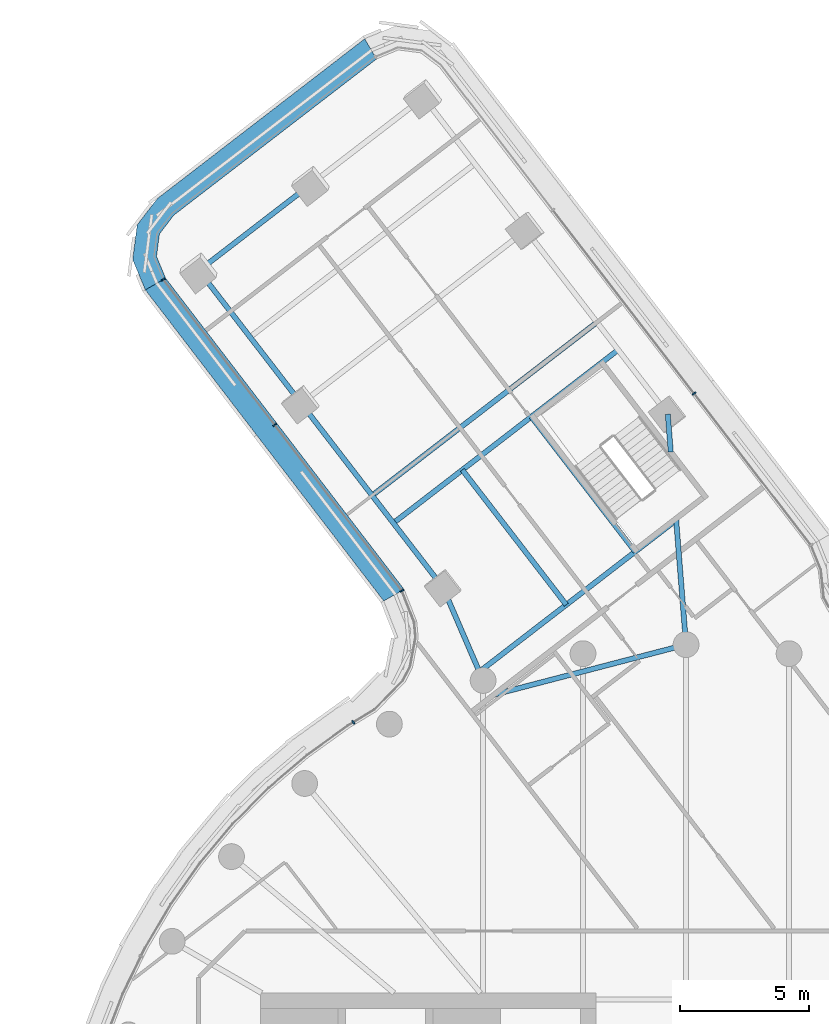
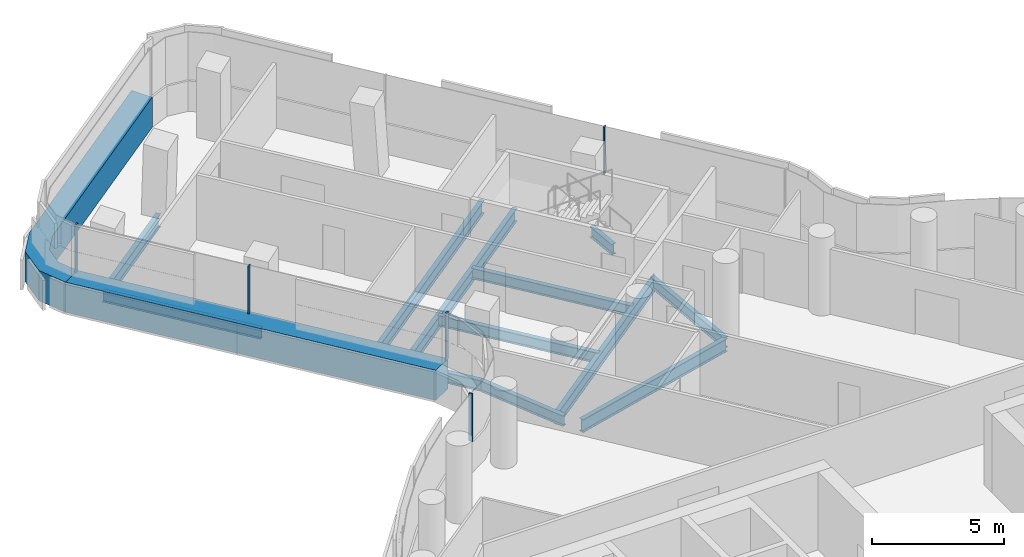
# One storey, part 14 of 33: 12 beams, 7 members, 4 elements without a shape of their own.
"""IFC4 building model written with IfcOpenShell, lengths in metres."""

from ifc_helpers import new_model, si_unit, direction, frame, origin, origin_2d, place, context, subcontext, project, spatial, polyline, rectangle, i_section, outline, extrude, material, layer, layer_set, material_profile, profile_set, type_object, element, aggregate, save


model = new_model("IFC4")

# Units and contexts
model_context = context("Model", 3, precision=1e-05, world=origin(), true_north=direction((0.0, 1.0)))
body_context = subcontext(model_context, "Body", "Model", "MODEL_VIEW")
ifc_project = project(units=[si_unit("LENGTHUNIT", "METRE"), si_unit("AREAUNIT", "SQUARE_METRE"), si_unit("VOLUMEUNIT", "CUBIC_METRE"), si_unit("PLANEANGLEUNIT", "RADIAN"), si_unit("MASSUNIT", "GRAM", prefix="KILO")], contexts=[model_context])

# Site, building, storey
site_placement = place(None, origin())
site = spatial("IfcSite", under=ifc_project, at=site_placement, CompositionType="ELEMENT")
building_placement = place(site_placement, origin())
building = spatial("IfcBuilding", under=site, at=building_placement, Name="Tamarind Cross Interchange Tower", CompositionType="ELEMENT")
storey_placement = place(building_placement, frame((0.0, 0.0, 170.5)))
storey = spatial("IfcBuildingStorey", under=building, at=storey_placement, Name="L42", CompositionType="ELEMENT", Elevation=170.5)

# Beams
ifc_material_1 = material(Name="Steel Q355B", Category="steel")
ifc_material_profile_1 = material_profile(ifc_material_1, i_section(OverallWidth=0.198974609375, OverallDepth=0.49609375, WebThickness=0.009033203125, FlangeThickness=0.013916015625, FilletRadius=0.012939453125, at=origin_2d()), Name="HN 496x199x9x14")
ifc_profile_set_1 = profile_set([ifc_material_profile_1], Name="Steel Q355B")
beam_type_1 = type_object("IfcBeamType", Name="Composite beam HN 496x199x9x14 Q355B", PredefinedType="BEAM", material=ifc_profile_set_1)
beam_1_placement = place(storey_placement, frame((-18.885009765625, 37.499755859375, -0.387939453125), z_axis=(0.610303776324, -0.79216747005, 0.0), x_axis=(0.79216747005, 0.610303776324, 0.0)))
element("IfcBeam", 1, at=beam_1_placement, inside=storey, type_object=beam_type_1, Name="Beam N-edgeep2", PredefinedType="BEAM", context=body_context, shape_type="SweptSolid", body=[
    extrude(i_section(OverallWidth=0.198974609375, OverallDepth=0.49609375, WebThickness=0.009033203125, FlangeThickness=0.013916015625, FilletRadius=0.012939453125, at=origin_2d()), origin(), (0.0, 0.0, 1.0), 6.504150390625),
])
beam_2_placement = place(storey_placement, frame((-14.91552734375, 32.347412109375, -0.387939453125), z_axis=(0.610322794486, -0.792152817662, 0.0), x_axis=(0.792152817662, 0.610322794486, 0.0)))
element("IfcBeam", 2, at=beam_2_placement, inside=storey, type_object=beam_type_1, Name="Beam N-edgeep3", PredefinedType="BEAM", context=body_context, shape_type="SweptSolid", body=[
    extrude(i_section(OverallWidth=0.198974609375, OverallDepth=0.49609375, WebThickness=0.009033203125, FlangeThickness=0.013916015625, FilletRadius=0.012939453125, at=origin_2d()), origin(), (0.0, 0.0, 1.0), 9.0),
])
beam_3_placement = place(storey_placement, frame((-0.708740234375, 31.931640625, -0.387939453125), z_axis=(0.079116300998, -0.996865392576, 0.0), x_axis=(0.996865392576, 0.079116300998, 0.0)))
element("IfcBeam", 3, at=beam_3_placement, inside=storey, type_object=beam_type_1, Name="Beam N-linkemt0", PredefinedType="BEAM", context=body_context, shape_type="SweptSolid", body=[
    extrude(i_section(OverallWidth=0.198974609375, OverallDepth=0.49609375, WebThickness=0.009033203125, FlangeThickness=0.013916015625, FilletRadius=0.012939453125, at=origin_2d()), origin(), (0.0, 0.0, 1.0), 1.4658203125),
])
beam_4_placement = place(storey_placement, frame((-0.387939453125, 27.886962890625, -0.387939453125), z_axis=(0.079133582911, -0.996864020845, 0.0), x_axis=(0.996864020845, 0.079133582911, 0.0)))
element("IfcBeam", 4, at=beam_4_placement, inside=storey, type_object=beam_type_1, Name="Beam N-linkemt1", PredefinedType="BEAM", context=body_context, shape_type="SweptSolid", body=[
    extrude(i_section(OverallWidth=0.198974609375, OverallDepth=0.49609375, WebThickness=0.009033203125, FlangeThickness=0.013916015625, FilletRadius=0.012939453125, at=origin_2d()), origin(), (0.0, 0.0, 1.0), 4.90234375),
])
beam_5_placement = place(storey_placement, frame((-9.422607421875, 25.218017578125, -0.387939453125), z_axis=(0.396319291582, -0.918112748588, 0.0), x_axis=(0.918112748588, 0.396319291582, 0.0)))
element("IfcBeam", 5, at=beam_5_placement, inside=storey, type_object=beam_type_1, Name="Beam N-linkep", PredefinedType="BEAM", context=body_context, shape_type="SweptSolid", body=[
    extrude(i_section(OverallWidth=0.198974609375, OverallDepth=0.49609375, WebThickness=0.009033203125, FlangeThickness=0.013916015625, FilletRadius=0.012939453125, at=origin_2d()), origin(), (0.0, 0.0, 1.0), 3.926513671875),
])
for number, where, z_axis, x_axis, name in (
    (6, (-1.969970703125, 26.604736328125, -0.387939453125), (-0.610313027776, 0.792160342435, 0.0), (-0.792160342435, -0.610313027776, 0.0), "Beam N-tr1"),
    (7, (-4.643310546875, 24.544921875, -0.387939453125), (-0.610336239453, 0.792142458659, 0.0), (-0.792142458659, -0.610336239453, 0.0), "Beam N-stripp"),
):
    element("IfcBeam", number, at=place(storey_placement, frame(where, z_axis=z_axis, x_axis=x_axis)), inside=storey, type_object=beam_type_1, Name=name, PredefinedType="BEAM", context=body_context, shape_type="SweptSolid", body=[
        extrude(i_section(OverallWidth=0.198974609375, OverallDepth=0.49609375, WebThickness=0.009033203125, FlangeThickness=0.013916015625, FilletRadius=0.012939453125, at=origin_2d()), origin(), (0.0, 0.0, 1.0), 6.60009765625),
    ])
ifc_material_profile_2 = material_profile(ifc_material_1, i_section(OverallWidth=0.199951171875, OverallDepth=0.60009765625, WebThickness=0.010986328125, FlangeThickness=0.01708984375, FilletRadius=0.012939453125, at=origin_2d()), Name="HN 600x200x11x17")
ifc_profile_set_2 = profile_set([ifc_material_profile_2], Name="Steel Q355B")
beam_type_2 = type_object("IfcBeamType", Name="Composite beam HN 600x200x11x17 Q355B", PredefinedType="BEAM", material=ifc_profile_set_2)
beam_6_placement = place(storey_placement, frame((-14.5283203125, 40.8564453125, -0.43994140625), z_axis=(-0.792150140299, -0.610326269486, 0.0), x_axis=(0.610326269486, -0.792150140299, 0.0)))
element("IfcBeam", 8, at=beam_6_placement, inside=storey, type_object=beam_type_2, Name="Beam N-tip1", PredefinedType="BEAM", context=body_context, shape_type="SweptSolid", body=[
    extrude(i_section(OverallWidth=0.199951171875, OverallDepth=0.60009765625, WebThickness=0.010986328125, FlangeThickness=0.01708984375, FilletRadius=0.012939453125, at=origin_2d()), origin(), (0.0, 0.0, 1.0), 5.499755859375),
])
beam_7_placement = place(storey_placement, frame((-0.383056640625, 27.827392578125, -0.43994140625), z_axis=(-0.792157267364, -0.610317019067, 0.0), x_axis=(0.610317019067, -0.792157267364, 0.0)))
element("IfcBeam", 9, at=beam_7_placement, inside=storey, type_object=beam_type_2, Name="Beam N-x268", PredefinedType="BEAM", context=body_context, shape_type="SweptSolid", body=[
    extrude(i_section(OverallWidth=0.199951171875, OverallDepth=0.60009765625, WebThickness=0.010986328125, FlangeThickness=0.01708984375, FilletRadius=0.012939453125, at=origin_2d()), origin(), (0.0, 0.0, 1.0), 9.630615234375),
])
beam_8_placement = place(storey_placement, frame((-2.63134765625, 34.427001953125, -0.43994140625), z_axis=(-0.792147677315, -0.61032946621, 0.0), x_axis=(0.61032946621, -0.792147677315, 0.0)))
element("IfcBeam", 10, at=beam_8_placement, inside=storey, type_object=beam_type_2, Name="Beam N-x334", PredefinedType="BEAM", context=body_context, shape_type="SweptSolid", body=[
    extrude(i_section(OverallWidth=0.199951171875, OverallDepth=0.60009765625, WebThickness=0.010986328125, FlangeThickness=0.01708984375, FilletRadius=0.012939453125, at=origin_2d()), origin(), (0.0, 0.0, 1.0), 11.0),
])
beam_9_placement = place(storey_placement, frame((0.0, 23.0, -0.43994140625), z_axis=(-0.967753663481, -0.251898485147, 0.0), x_axis=(0.251898485147, -0.967753663481, 0.0)))
element("IfcBeam", 11, at=beam_9_placement, inside=storey, type_object=beam_type_2, Name="Beam N-x258", PredefinedType="BEAM", context=body_context, shape_type="SweptSolid", body=[
    extrude(i_section(OverallWidth=0.199951171875, OverallDepth=0.60009765625, WebThickness=0.010986328125, FlangeThickness=0.01708984375, FilletRadius=0.012939453125, at=origin_2d()), origin(), (0.0, 0.0, 1.0), 7.690673828125),
])
beam_10_placement = place(storey_placement, frame((-3.455322265625, 35.496337890625, -0.43994140625), z_axis=(-0.792147677315, -0.61032946621, 0.0), x_axis=(0.61032946621, -0.792147677315, 0.0)))
element("IfcBeam", 12, at=beam_10_placement, inside=storey, type_object=beam_type_2, Name="Beam N-x348", PredefinedType="BEAM", context=body_context, shape_type="SweptSolid", body=[
    extrude(i_section(OverallWidth=0.199951171875, OverallDepth=0.60009765625, WebThickness=0.010986328125, FlangeThickness=0.01708984375, FilletRadius=0.012939453125, at=origin_2d()), origin(), (0.0, 0.0, 1.0), 11.0),
])

# Curtain wall, member
ifc_material_2 = material(Name="Aluminium 6063-T6", Category="aluminium")
ifc_layer = layer(ifc_material_2, 0.159912109375)
ifc_layer_set = layer_set([ifc_layer], Name="Aluminium 6063-T6")
curtain_wall_type = type_object("IfcCurtainWallType", Name="Office curtain wall, 9.0 m bays", PredefinedType="NOTDEFINED", material=ifc_layer_set)
curtain_wall_1_placement = place(storey_placement, origin())
curtain_wall_1 = element("IfcCurtainWall", 13, at=curtain_wall_1_placement, inside=storey, type_object=curtain_wall_type, Name="CWS-L42-04", PredefinedType="NOTDEFINED")
ifc_material_3 = material(Name="Aluminium and insulated spandrel panel", Category="aluminium")
member_type_1 = type_object("IfcMemberType", Name="Floor-edge blade transom", PredefinedType="USERDEFINED", material=ifc_material_3)
member_1_placement = place(storey_placement, origin())
member_1 = element("IfcMember", 14, at=member_1_placement, type_object=member_type_1, Name="CWT-L42-04", ObjectType="TRANSOM", PredefinedType="USERDEFINED", context=body_context, shape_type="SweptSolid", body=[
    extrude(outline(polyline([(-11.997802734375, 45.699951171875), (-19.85693359375, 39.64501953125), (-20.41259765625, 38.917724609375), (-20.525146484375, 38.050537109375), (-20.173095703125, 37.205078125), (-20.958740234375, 36.750732421875), (-21.44873046875, 37.927001953125), (-21.274169921875, 39.272705078125), (-20.5, 40.28564453125), (-12.453369140625, 46.4853515625), (-11.997802734375, 45.699951171875)])), origin(), (0.0, 0.0, 1.0), 1.39990234375),
])
aggregate(curtain_wall_1, [member_1])

curtain_wall_2_placement = place(storey_placement, origin())
curtain_wall_2 = element("IfcCurtainWall", 15, at=curtain_wall_2_placement, inside=storey, type_object=curtain_wall_type, Name="CWS-L42-05", PredefinedType="NOTDEFINED")
member_2_placement = place(storey_placement, origin())
member_2 = element("IfcMember", 16, at=member_2_placement, type_object=member_type_1, Name="CWT-L42-05", ObjectType="TRANSOM", PredefinedType="USERDEFINED", context=body_context, shape_type="SweptSolid", body=[
    extrude(outline(polyline([(-20.173095703125, 37.205078125), (-10.9267578125, 25.139892578125), (-11.718017578125, 24.69287109375), (-20.958740234375, 36.750732421875), (-20.173095703125, 37.205078125)])), origin(), (0.0, 0.0, 1.0), 1.39990234375),
])

curtain_wall_3_placement = place(storey_placement, origin())
curtain_wall_3 = element("IfcCurtainWall", 17, at=curtain_wall_3_placement, inside=storey, type_object=curtain_wall_type, Name="CWS-L42-03", PredefinedType="NOTDEFINED")
ifc_material_profile_3 = material_profile(ifc_material_2, rectangle(XDim=0.06005859375, YDim=0.159912109375, at=origin_2d()), Name="Mullion CW1")
ifc_profile_set_3 = profile_set([ifc_material_profile_3], Name="Aluminium 6063-T6")
member_type_2 = type_object("IfcMemberType", Name="Mullion CW1", PredefinedType="MULLION", material=ifc_profile_set_3)
member_3_placement = place(storey_placement, frame((0.314453125, 32.7333984375, 1.39990234375), z_axis=(0.0, 0.0, 1.0), x_axis=(-0.610322147879, 0.792153315847, 0.0)))
member_3 = element("IfcMember", 18, at=member_3_placement, type_object=member_type_2, Name="CWM-L42-03-01", PredefinedType="MULLION", context=body_context, shape_type="SweptSolid", body=[
    extrude(rectangle(XDim=0.06005859375, YDim=0.159912109375, at=origin_2d()), origin(), (0.0, 0.0, 1.0), 2.210205078125),
])
aggregate(curtain_wall_3, [member_3])

# Member
member_4_placement = place(storey_placement, frame((-20.26025390625, 37.154541015625, 1.39990234375), z_axis=(0.0, 0.0, 1.0), x_axis=(0.500587820767, -0.86568575921, 0.0)))
member_4 = element("IfcMember", 19, at=member_4_placement, type_object=member_type_2, Name="CWM-L42-05-00", PredefinedType="MULLION", context=body_context, shape_type="SweptSolid", body=[
    extrude(rectangle(XDim=0.06005859375, YDim=0.159912109375, at=origin_2d()), origin(), (0.0, 0.0, 1.0), 2.210205078125),
])

member_5_placement = place(storey_placement, frame((-15.94287109375, 31.52099609375, 1.39990234375), z_axis=(0.0, 0.0, 1.0), x_axis=(0.608276615198, -0.793725115769, 0.0)))
member_5 = element("IfcMember", 20, at=member_5_placement, type_object=member_type_2, Name="CWM-L42-05-01", PredefinedType="MULLION", context=body_context, shape_type="SweptSolid", body=[
    extrude(rectangle(XDim=0.06005859375, YDim=0.159912109375, at=origin_2d()), origin(), (0.0, 0.0, 1.0), 2.210205078125),
])

aggregate(curtain_wall_2, [member_4, member_5, member_2])

# Curtain wall, members
curtain_wall_4_placement = place(storey_placement, origin())
curtain_wall_4 = element("IfcCurtainWall", 21, at=curtain_wall_4_placement, inside=storey, type_object=curtain_wall_type, Name="CWS-L42-06", PredefinedType="NOTDEFINED")
member_6_placement = place(storey_placement, frame((-11.0146484375, 25.090087890625, 1.39990234375), z_axis=(0.0, 0.0, 1.0), x_axis=(0.491972136563, -0.870610944593, 0.0)))
member_6 = element("IfcMember", 22, at=member_6_placement, type_object=member_type_2, Name="CWM-L42-06-00", PredefinedType="MULLION", context=body_context, shape_type="SweptSolid", body=[
    extrude(rectangle(XDim=0.06005859375, YDim=0.159912109375, at=origin_2d()), origin(), (0.0, 0.0, 1.0), 2.210205078125),
])
member_7_placement = place(storey_placement, frame((-12.89501953125, 19.989501953125, 1.39990234375), z_axis=(0.0, 0.0, 1.0), x_axis=(-0.855319577909, -0.51810078136, 0.0)))
member_7 = element("IfcMember", 23, at=member_7_placement, type_object=member_type_2, Name="CWM-L42-06-01", PredefinedType="MULLION", context=body_context, shape_type="SweptSolid", body=[
    extrude(rectangle(XDim=0.06005859375, YDim=0.159912109375, at=origin_2d()), origin(), (0.0, 0.0, 1.0), 2.210205078125),
])
aggregate(curtain_wall_4, [member_6, member_7])

save(model, "model.ifc")
